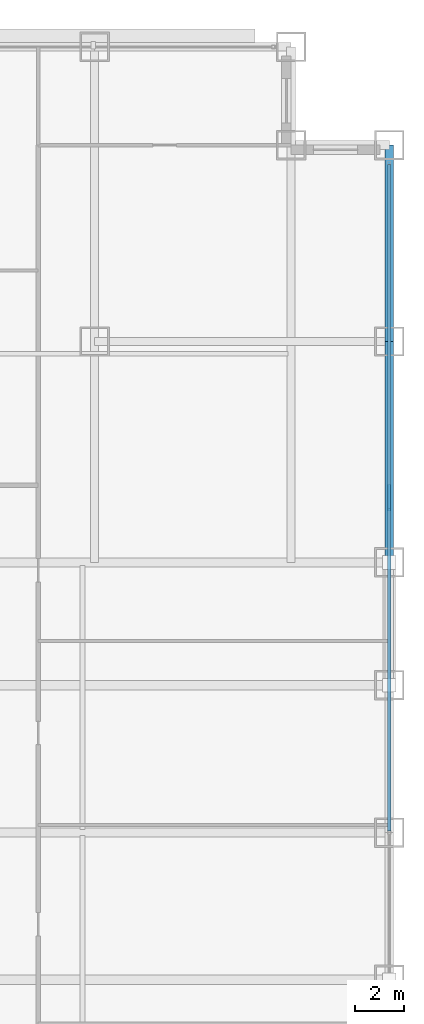
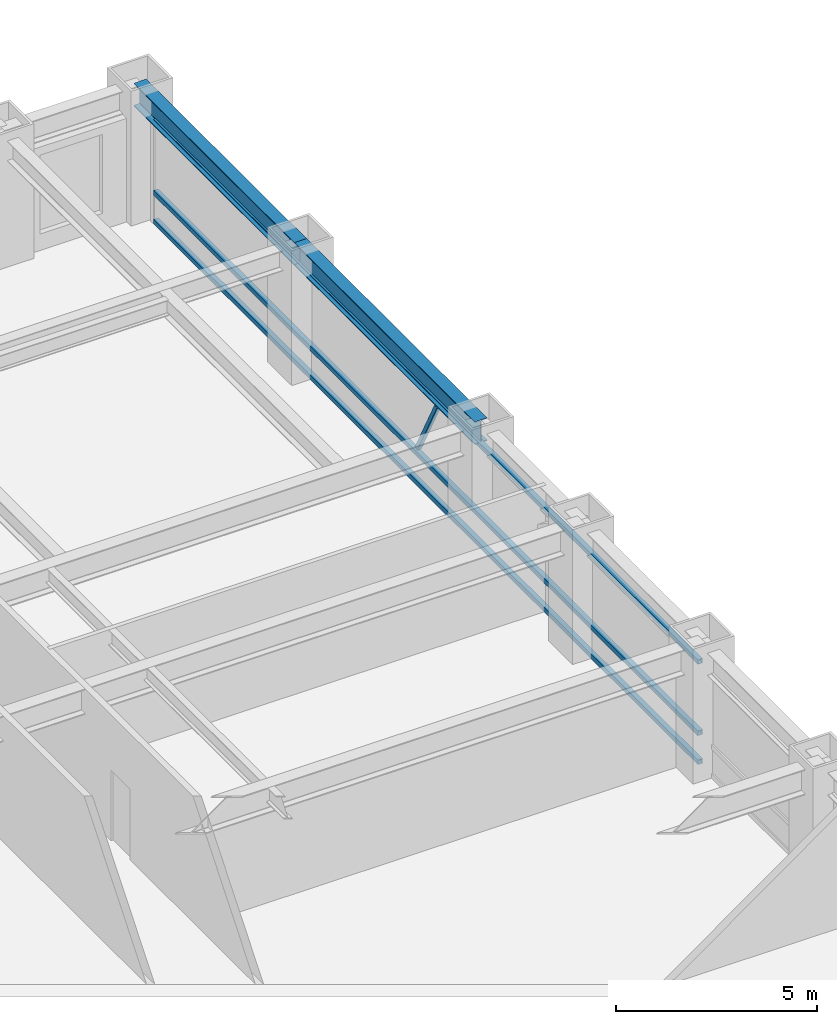
# One storey, part 15 of 32: 4 members, 2 beams, 1 element without a shape of its own.
"""IFC4 building model written with IfcOpenShell, lengths in metres."""

from ifc_helpers import new_model, si_unit, direction, frame, origin, origin_2d, place, context, subcontext, project, spatial, hollow_rectangle, i_section, extrude, source, transform, mapped, material, material_profile, profile_set, type_object, element, aggregate, save


model = new_model("IFC4")

# Units and contexts
model_context = context("Model", 3, precision=1e-05, world=origin(), true_north=direction((0.0, 1.0)))
body_context = subcontext(model_context, "Body", "Model", "MODEL_VIEW")
ifc_project = project(units=[si_unit("LENGTHUNIT", "METRE"), si_unit("AREAUNIT", "SQUARE_METRE"), si_unit("VOLUMEUNIT", "CUBIC_METRE"), si_unit("PLANEANGLEUNIT", "RADIAN"), si_unit("MASSUNIT", "GRAM", prefix="KILO")], contexts=[model_context])

# Site, building, storey
site_placement = place(None, origin())
site = spatial("IfcSite", under=ifc_project, at=site_placement, CompositionType="ELEMENT")
building_placement = place(site_placement, origin())
building = spatial("IfcBuilding", under=site, at=building_placement, Name="Khorayat Bourse Tower", CompositionType="ELEMENT")
storey_placement = place(building_placement, frame((0.0, 0.0, 95.5)))
storey = spatial("IfcBuildingStorey", under=building, at=storey_placement, Name="L21", CompositionType="ELEMENT", Elevation=95.5)

# Beams
ifc_material_1 = material(Name="Steel ASTM A992 Grade 50", Category="steel")
ifc_material_profile_1 = material_profile(ifc_material_1, i_section(OverallWidth=0.35498046875, OverallDepth=0.695068359375, WebThickness=0.015380859375, FlangeThickness=0.02490234375, FilletRadius=0.01806640625, at=origin_2d()), Name="W690X217")
ifc_profile_set_1 = profile_set([ifc_material_profile_1], Name="Steel ASTM A992 Grade 50")
beam_type = type_object("IfcBeamType", Name="BM-SPAN-690", PredefinedType="SPANDREL", material=ifc_profile_set_1)
shared_shape_1 = source(origin(), body_context, "Body", "SweptSolid", [
    extrude(i_section(OverallWidth=0.35498046875, OverallDepth=0.695068359375, WebThickness=0.015380859375, FlangeThickness=0.02490234375, FilletRadius=0.01806640625, at=origin_2d()), origin(), (0.0, 0.0, 1.0), 9.0),
])
beam_1_placement = place(storey_placement, frame((32.0, 11.0, 3.492431640625), z_axis=(0.0, 1.0, 0.0), x_axis=(-1.0, 0.0, 0.0)))
element("IfcBeam", 1, at=beam_1_placement, inside=storey, type_object=beam_type, Name="L21 BM-SPAN-690 BM-L21-SPN-040", PredefinedType="SPANDREL", context=body_context, shape_type="MappedRepresentation", body=[
    mapped(shared_shape_1, transform((0.0, 0.0, 0.0), scale=1.0)),
])
shared_shape_2 = source(origin(), body_context, "Body", "SweptSolid", [
    extrude(i_section(OverallWidth=0.35498046875, OverallDepth=0.695068359375, WebThickness=0.015380859375, FlangeThickness=0.02490234375, FilletRadius=0.01806640625, at=origin_2d()), origin(), (0.0, 0.0, 1.0), 8.0),
])
beam_2_placement = place(storey_placement, frame((32.0, 20.0, 3.492431640625), z_axis=(0.0, 1.0, 0.0), x_axis=(-1.0, 0.0, 0.0)))
element("IfcBeam", 2, at=beam_2_placement, inside=storey, type_object=beam_type, Name="L21 BM-SPAN-690 BM-L21-SPN-041", PredefinedType="SPANDREL", context=body_context, shape_type="MappedRepresentation", body=[
    mapped(shared_shape_2, transform((0.0, 0.0, 0.0), scale=1.0)),
])

# Curtain wall, members
ifc_material_2 = material(Name="Aluminium EN AW-6063 T6", Category="aluminium")
curtain_wall_type = type_object("IfcCurtainWallType", Name="CW-SYS-02", PredefinedType="NOTDEFINED", material=ifc_material_2)
curtain_wall_placement = place(storey_placement, origin())
curtain_wall = element("IfcCurtainWall", 3, at=curtain_wall_placement, inside=storey, type_object=curtain_wall_type, Name="L21 Curtain Wall CW-L21-E1", PredefinedType="NOTDEFINED")
ifc_material_profile_2 = material_profile(ifc_material_2, hollow_rectangle(XDim=0.139892578125, YDim=0.139892578125, WallThickness=0.006103515625, at=origin_2d()), Name="ALU 140x140x6")
ifc_profile_set_2 = profile_set([ifc_material_profile_2], Name="Aluminium EN AW-6063 T6")
member_type_1 = type_object("IfcMemberType", Name="CWT-HORZ-140", PredefinedType="USERDEFINED", material=ifc_profile_set_2)
shared_shape_3 = source(origin(), body_context, "Body", "SweptSolid", [
    extrude(hollow_rectangle(XDim=0.139892578125, YDim=0.139892578125, WallThickness=0.006103515625, at=origin_2d()), origin(), (0.0, 0.0, 1.0), 27.139892578125),
])
member_1_placement = place(storey_placement, frame((32.0, 0.070068359375, 0.070068359375), z_axis=(0.0, 1.0, 0.0), x_axis=(-1.0, 0.0, 0.0)))
member_1 = element("IfcMember", 4, at=member_1_placement, type_object=member_type_1, Name="CW-L21-E1 Horizontal Transom 2-1", ObjectType="TRANSOM", PredefinedType="USERDEFINED", context=body_context, shape_type="MappedRepresentation", body=[
    mapped(shared_shape_3, transform((0.0, 0.0, 0.0), scale=1.0)),
])
member_2_placement = place(storey_placement, frame((32.0, 0.070068359375, 0.949951171875), z_axis=(0.0, 1.0, 0.0), x_axis=(-1.0, 0.0, 0.0)))
member_2 = element("IfcMember", 5, at=member_2_placement, type_object=member_type_1, Name="CW-L21-E1 Horizontal Transom 2-2", ObjectType="TRANSOM", PredefinedType="USERDEFINED", context=body_context, shape_type="MappedRepresentation", body=[
    mapped(shared_shape_3, transform((0.0, 0.0, 0.0), scale=1.0)),
])
member_3_placement = place(storey_placement, frame((32.0, 0.070068359375, 3.1201171875), z_axis=(0.0, 1.0, 0.0), x_axis=(-1.0, 0.0, 0.0)))
member_3 = element("IfcMember", 6, at=member_3_placement, type_object=member_type_1, Name="CW-L21-E1 Horizontal Transom 2-3", ObjectType="TRANSOM", PredefinedType="USERDEFINED", context=body_context, shape_type="MappedRepresentation", body=[
    mapped(shared_shape_3, transform((0.0, 0.0, 0.0), scale=1.0)),
])
ifc_material_profile_3 = material_profile(ifc_material_2, hollow_rectangle(XDim=0.1201171875, YDim=0.1201171875, WallThickness=0.0048828125, at=origin_2d()), Name="ALU 120x120x5")
ifc_profile_set_3 = profile_set([ifc_material_profile_3], Name="Aluminium EN AW-6063 T6")
member_type_2 = type_object("IfcMemberType", Name="CWM-DIAG-120", PredefinedType="MULLION", material=ifc_profile_set_3)
shared_shape_4 = source(origin(), body_context, "Body", "SweptSolid", [
    extrude(hollow_rectangle(XDim=0.1201171875, YDim=0.1201171875, WallThickness=0.0048828125, at=origin_2d()), origin(), (0.0, 0.0, 1.0), 2.113037109375),
])
member_4_placement = place(storey_placement, frame((32.0, 14.132080078125, 1.10009765625), z_axis=(0.0, -0.465741670874, 0.884920728659), x_axis=(1.0, 0.0, 0.0)))
member_4 = element("IfcMember", 7, at=member_4_placement, type_object=member_type_2, Name="CW-L21-E1 Faceted Diagonal Mullion 2", PredefinedType="MULLION", context=body_context, shape_type="MappedRepresentation", body=[
    mapped(shared_shape_4, transform((0.0, 0.0, 0.0), scale=1.0)),
])
aggregate(curtain_wall, [member_1, member_2, member_3, member_4])

save(model, "model.ifc")
